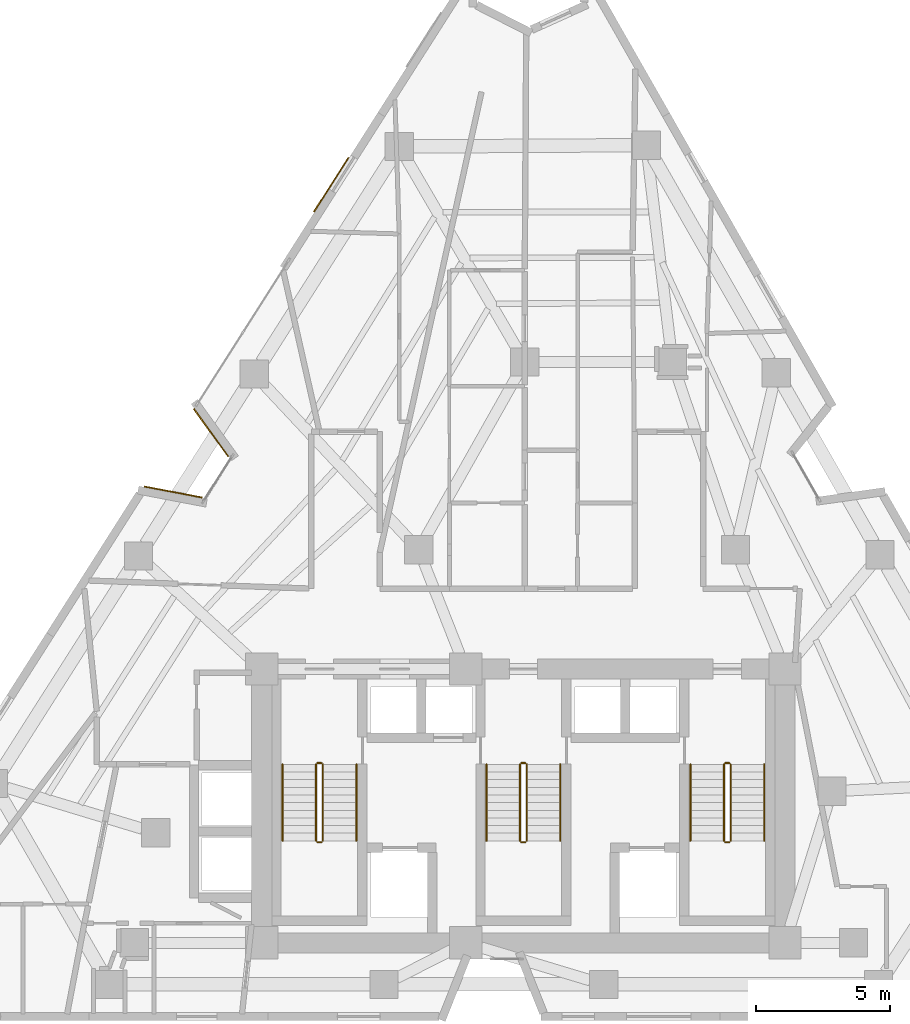
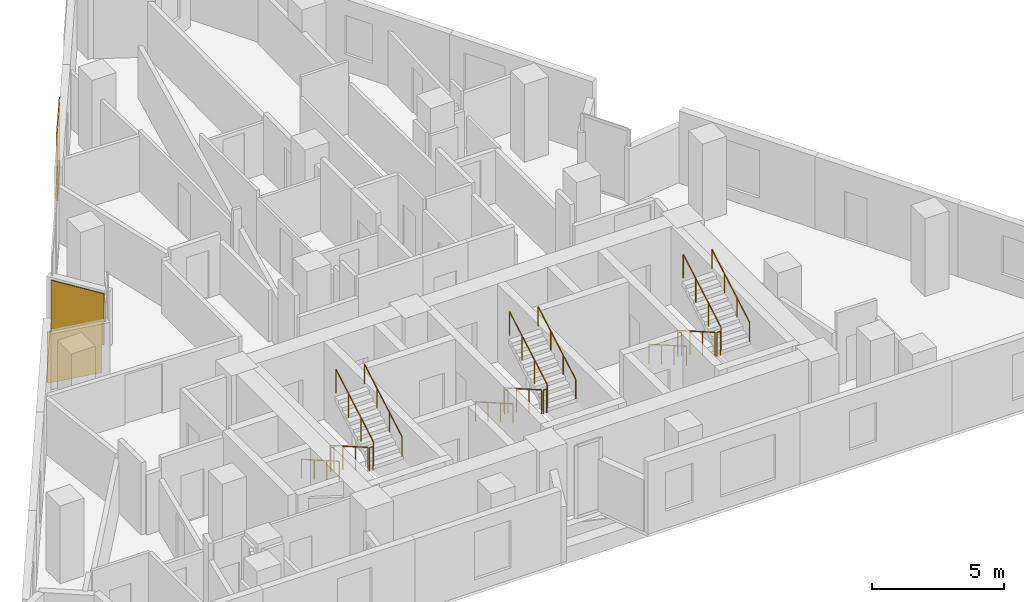
# One storey, part 10 of 11: 18 railings, 3 coverings.
"""IFC4 building model written with IfcOpenShell, lengths in metres."""

from ifc_helpers import new_model, si_unit, direction, frame, origin, origin_2d, place, context, subcontext, project, spatial, rectangle, circle, extrude, material, layer, layer_set, type_object, element, save


model = new_model("IFC4")

# Units and contexts
model_context = context("Model", 3, precision=1e-05, world=origin(), true_north=direction((0.0, 1.0)))
body_context = subcontext(model_context, "Body", "Model", "MODEL_VIEW")
ifc_project = project(units=[si_unit("LENGTHUNIT", "METRE"), si_unit("AREAUNIT", "SQUARE_METRE"), si_unit("VOLUMEUNIT", "CUBIC_METRE"), si_unit("PLANEANGLEUNIT", "RADIAN"), si_unit("MASSUNIT", "GRAM", prefix="KILO")], contexts=[model_context])

# Site, building, storey
site_placement = place(None, origin())
site = spatial("IfcSite", under=ifc_project, at=site_placement, CompositionType="ELEMENT")
building_placement = place(site_placement, origin())
building = spatial("IfcBuilding", under=site, at=building_placement, Name="Almagre Mirador Tower", CompositionType="ELEMENT")
storey_placement = place(building_placement, frame((0.0, 0.0, 146.39990234375)))
storey = spatial("IfcBuildingStorey", under=building, at=storey_placement, Name="L37", CompositionType="ELEMENT", Elevation=146.39990234375)

# Coverings
ifc_material_1 = material(Name="Almagre terracotta architectural cladding", Category="masonry")
ifc_layer = layer(ifc_material_1, 0.044921875)
ifc_layer_set = layer_set([ifc_layer], Name="Almagre terracotta architectural cladding")
covering_type = type_object("IfcCoveringType", Name="COV-CLAD-ALMAGRE", PredefinedType="CLADDING", material=ifc_layer_set)
for number, where, z_axis, x_axis, name in (
    (1, (24.247802734375, 21.35009765625, 0.10009765625), (0.0, 0.0, 1.0), (0.982333007297, -0.18714129094, 0.0), "L37 almagre terracotta pier cladding"),
    (2, (25.658203125, 23.56396484375, 0.10009765625), (0.0, 0.0, 1.0), (-0.585226601767, 0.810869795087, 0.0), "L37 almagre terracotta pier cladding"),
):
    element("IfcCovering", number, at=place(storey_placement, frame(where, z_axis=z_axis, x_axis=x_axis)), inside=storey, type_object=covering_type, Name=name, PredefinedType="CLADDING", context=body_context, shape_type="SweptSolid", body=[
        extrude(rectangle(XDim=2.194091796875, YDim=0.044921875, at=origin_2d()), origin(), (0.0, 0.0, 1.0), 2.375),
    ])
covering_placement = place(storey_placement, frame((30.140380859375, 32.80712890625, 0.10009765625), z_axis=(0.0, 0.0, 1.0), x_axis=(0.537122957072, 0.843503959081, 0.0)))
element("IfcCovering", 3, at=covering_placement, inside=storey, type_object=covering_type, Name="L37 almagre terracotta pier cladding", PredefinedType="CLADDING", context=body_context, shape_type="SweptSolid", body=[
    extrude(rectangle(XDim=2.39990234375, YDim=0.044921875, at=origin_2d()), origin(), (0.0, 0.0, 1.0), 3.14990234375),
])

# Railings
ifc_material_2 = material(Name="Painted galvanized steel", Category="steel")
railing_type_1 = type_object("IfcRailingType", Name="RLG-GRD-1100", PredefinedType="GUARDRAIL", material=ifc_material_2)
railing_1_placement = place(storey_placement, frame((29.574951171875, 11.199951171875, 0.163818359375)))
element("IfcRailing", 4, at=railing_1_placement, inside=storey, type_object=railing_type_1, Name="L37 ST-1 stair guard 1", PredefinedType="GUARDRAIL", context=body_context, shape_type="SweptSolid", body=[
    extrude(circle(Radius=0.02392578125, at=origin_2d()), frame((0.0, 0.0, 1.09619140625), z_axis=(0.0, -0.867226363773, 0.497914082927), x_axis=(1.0, 0.0, 0.0)), (0.0, 0.0, 1.0), 3.2861328125),
    extrude(circle(Radius=0.02099609375, at=origin_2d()), origin(), (0.0, 0.0, 1.0), 1.072021484375),
    extrude(circle(Radius=0.02099609375, at=origin_2d()), frame((0.0, -0.949951171875, 0.54541015625)), (0.0, 0.0, 1.0), 1.072021484375),
    extrude(circle(Radius=0.02099609375, at=origin_2d()), frame((0.0, -1.89990234375, 1.0908203125)), (0.0, 0.0, 1.0), 1.072021484375),
    extrude(circle(Radius=0.02099609375, at=origin_2d()), frame((0.0, -2.849853515625, 1.63623046875)), (0.0, 0.0, 1.0), 1.072021484375),
])
railing_2_placement = place(storey_placement, frame((29.625, 8.300048828125, 1.800048828125)))
element("IfcRailing", 5, at=railing_2_placement, inside=storey, type_object=railing_type_1, Name="L37 ST-1 stair guard 2", PredefinedType="GUARDRAIL", context=body_context, shape_type="SweptSolid", body=[
    extrude(circle(Radius=0.02392578125, at=origin_2d()), frame((0.0, 0.0, 1.09619140625), z_axis=(1.0, 0.0, 0.0), x_axis=(0.0, 1.0, 0.0)), (0.0, 0.0, 1.0), 0.14990234375),
    extrude(circle(Radius=0.02099609375, at=origin_2d()), origin(), (0.0, 0.0, 1.0), 1.072021484375),
    extrude(circle(Radius=0.02099609375, at=origin_2d()), frame((0.14990234375, 0.0, 0.0)), (0.0, 0.0, 1.0), 1.072021484375),
])
railing_3_placement = place(storey_placement, frame((29.824951171875, 8.35009765625, 1.963623046875)))
element("IfcRailing", 6, at=railing_3_placement, inside=storey, type_object=railing_type_1, Name="L37 ST-1 stair guard 3", PredefinedType="GUARDRAIL", context=body_context, shape_type="SweptSolid", body=[
    extrude(circle(Radius=0.02392578125, at=origin_2d()), frame((0.0, 0.0, 1.09619140625), z_axis=(0.0, 0.867194282975, 0.497969954491), x_axis=(-1.0, 0.0, 0.0)), (0.0, 0.0, 1.0), 3.286376953125),
    extrude(circle(Radius=0.02099609375, at=origin_2d()), origin(), (0.0, 0.0, 1.0), 1.072021484375),
    extrude(circle(Radius=0.02099609375, at=origin_2d()), frame((0.0, 0.949951171875, 0.54541015625)), (0.0, 0.0, 1.0), 1.072021484375),
    extrude(circle(Radius=0.02099609375, at=origin_2d()), frame((0.0, 1.89990234375, 1.091064453125)), (0.0, 0.0, 1.0), 1.072021484375),
    extrude(circle(Radius=0.02099609375, at=origin_2d()), frame((0.0, 2.849853515625, 1.636474609375)), (0.0, 0.0, 1.0), 1.072021484375),
])
railing_4_placement = place(storey_placement, frame((29.625, 11.25, 0.0)))
element("IfcRailing", 7, at=railing_4_placement, inside=storey, type_object=railing_type_1, Name="L37 ST-1 stair guard 4", PredefinedType="GUARDRAIL", context=body_context, shape_type="SweptSolid", body=[
    extrude(circle(Radius=0.02392578125, at=origin_2d()), frame((0.0, 0.0, 1.09619140625), z_axis=(1.0, 0.0, 0.0), x_axis=(0.0, 1.0, 0.0)), (0.0, 0.0, 1.0), 0.14990234375),
    extrude(circle(Radius=0.02099609375, at=origin_2d()), origin(), (0.0, 0.0, 1.0), 1.072021484375),
    extrude(circle(Radius=0.02099609375, at=origin_2d()), frame((0.14990234375, 0.0, 0.0)), (0.0, 0.0, 1.0), 1.072021484375),
])
railing_5_placement = place(storey_placement, frame((37.175048828125, 11.199951171875, 0.163818359375)))
element("IfcRailing", 8, at=railing_5_placement, inside=storey, type_object=railing_type_1, Name="L37 ST-2 stair guard 1", PredefinedType="GUARDRAIL", context=body_context, shape_type="SweptSolid", body=[
    extrude(circle(Radius=0.02392578125, at=origin_2d()), frame((0.0, 0.0, 1.09619140625), z_axis=(0.0, -0.867226363773, 0.497914082927), x_axis=(1.0, 0.0, 0.0)), (0.0, 0.0, 1.0), 3.2861328125),
    extrude(circle(Radius=0.02099609375, at=origin_2d()), origin(), (0.0, 0.0, 1.0), 1.072021484375),
    extrude(circle(Radius=0.02099609375, at=origin_2d()), frame((0.0, -0.949951171875, 0.54541015625)), (0.0, 0.0, 1.0), 1.072021484375),
    extrude(circle(Radius=0.02099609375, at=origin_2d()), frame((0.0, -1.89990234375, 1.0908203125)), (0.0, 0.0, 1.0), 1.072021484375),
    extrude(circle(Radius=0.02099609375, at=origin_2d()), frame((0.0, -2.849853515625, 1.63623046875)), (0.0, 0.0, 1.0), 1.072021484375),
])
railing_6_placement = place(storey_placement, frame((37.22509765625, 8.300048828125, 1.800048828125)))
element("IfcRailing", 9, at=railing_6_placement, inside=storey, type_object=railing_type_1, Name="L37 ST-2 stair guard 2", PredefinedType="GUARDRAIL", context=body_context, shape_type="SweptSolid", body=[
    extrude(circle(Radius=0.02392578125, at=origin_2d()), frame((0.0, 0.0, 1.09619140625), z_axis=(1.0, 0.0, 0.0), x_axis=(0.0, 1.0, 0.0)), (0.0, 0.0, 1.0), 0.14990234375),
    extrude(circle(Radius=0.02099609375, at=origin_2d()), origin(), (0.0, 0.0, 1.0), 1.072021484375),
    extrude(circle(Radius=0.02099609375, at=origin_2d()), frame((0.14990234375, 0.0, 0.0)), (0.0, 0.0, 1.0), 1.072021484375),
])
railing_7_placement = place(storey_placement, frame((37.425048828125, 8.35009765625, 1.963623046875)))
element("IfcRailing", 10, at=railing_7_placement, inside=storey, type_object=railing_type_1, Name="L37 ST-2 stair guard 3", PredefinedType="GUARDRAIL", context=body_context, shape_type="SweptSolid", body=[
    extrude(circle(Radius=0.02392578125, at=origin_2d()), frame((0.0, 0.0, 1.09619140625), z_axis=(0.0, 0.867194282975, 0.497969954491), x_axis=(-1.0, 0.0, 0.0)), (0.0, 0.0, 1.0), 3.286376953125),
    extrude(circle(Radius=0.02099609375, at=origin_2d()), origin(), (0.0, 0.0, 1.0), 1.072021484375),
    extrude(circle(Radius=0.02099609375, at=origin_2d()), frame((0.0, 0.949951171875, 0.54541015625)), (0.0, 0.0, 1.0), 1.072021484375),
    extrude(circle(Radius=0.02099609375, at=origin_2d()), frame((0.0, 1.89990234375, 1.091064453125)), (0.0, 0.0, 1.0), 1.072021484375),
    extrude(circle(Radius=0.02099609375, at=origin_2d()), frame((0.0, 2.849853515625, 1.636474609375)), (0.0, 0.0, 1.0), 1.072021484375),
])
railing_8_placement = place(storey_placement, frame((37.22509765625, 11.25, 0.0)))
element("IfcRailing", 11, at=railing_8_placement, inside=storey, type_object=railing_type_1, Name="L37 ST-2 stair guard 4", PredefinedType="GUARDRAIL", context=body_context, shape_type="SweptSolid", body=[
    extrude(circle(Radius=0.02392578125, at=origin_2d()), frame((0.0, 0.0, 1.09619140625), z_axis=(1.0, 0.0, 0.0), x_axis=(0.0, 1.0, 0.0)), (0.0, 0.0, 1.0), 0.14990234375),
    extrude(circle(Radius=0.02099609375, at=origin_2d()), origin(), (0.0, 0.0, 1.0), 1.072021484375),
    extrude(circle(Radius=0.02099609375, at=origin_2d()), frame((0.14990234375, 0.0, 0.0)), (0.0, 0.0, 1.0), 1.072021484375),
])
railing_9_placement = place(storey_placement, frame((44.77490234375, 11.199951171875, 0.163818359375)))
element("IfcRailing", 12, at=railing_9_placement, inside=storey, type_object=railing_type_1, Name="L37 ST-3 stair guard 1", PredefinedType="GUARDRAIL", context=body_context, shape_type="SweptSolid", body=[
    extrude(circle(Radius=0.02392578125, at=origin_2d()), frame((0.0, 0.0, 1.09619140625), z_axis=(0.0, -0.867226363773, 0.497914082927), x_axis=(1.0, 0.0, 0.0)), (0.0, 0.0, 1.0), 3.2861328125),
    extrude(circle(Radius=0.02099609375, at=origin_2d()), origin(), (0.0, 0.0, 1.0), 1.072021484375),
    extrude(circle(Radius=0.02099609375, at=origin_2d()), frame((0.0, -0.949951171875, 0.54541015625)), (0.0, 0.0, 1.0), 1.072021484375),
    extrude(circle(Radius=0.02099609375, at=origin_2d()), frame((0.0, -1.89990234375, 1.0908203125)), (0.0, 0.0, 1.0), 1.072021484375),
    extrude(circle(Radius=0.02099609375, at=origin_2d()), frame((0.0, -2.849853515625, 1.63623046875)), (0.0, 0.0, 1.0), 1.072021484375),
])
railing_10_placement = place(storey_placement, frame((44.824951171875, 8.300048828125, 1.800048828125)))
element("IfcRailing", 13, at=railing_10_placement, inside=storey, type_object=railing_type_1, Name="L37 ST-3 stair guard 2", PredefinedType="GUARDRAIL", context=body_context, shape_type="SweptSolid", body=[
    extrude(circle(Radius=0.02392578125, at=origin_2d()), frame((0.0, 0.0, 1.09619140625), z_axis=(1.0, 0.0, 0.0), x_axis=(0.0, 1.0, 0.0)), (0.0, 0.0, 1.0), 0.150146484375),
    extrude(circle(Radius=0.02099609375, at=origin_2d()), origin(), (0.0, 0.0, 1.0), 1.072021484375),
    extrude(circle(Radius=0.02099609375, at=origin_2d()), frame((0.150146484375, 0.0, 0.0)), (0.0, 0.0, 1.0), 1.072021484375),
])
railing_11_placement = place(storey_placement, frame((45.02490234375, 8.35009765625, 1.963623046875)))
element("IfcRailing", 14, at=railing_11_placement, inside=storey, type_object=railing_type_1, Name="L37 ST-3 stair guard 3", PredefinedType="GUARDRAIL", context=body_context, shape_type="SweptSolid", body=[
    extrude(circle(Radius=0.02392578125, at=origin_2d()), frame((0.0, 0.0, 1.09619140625), z_axis=(0.0, 0.867194282975, 0.497969954491), x_axis=(-1.0, 0.0, 0.0)), (0.0, 0.0, 1.0), 3.286376953125),
    extrude(circle(Radius=0.02099609375, at=origin_2d()), origin(), (0.0, 0.0, 1.0), 1.072021484375),
    extrude(circle(Radius=0.02099609375, at=origin_2d()), frame((0.0, 0.949951171875, 0.54541015625)), (0.0, 0.0, 1.0), 1.072021484375),
    extrude(circle(Radius=0.02099609375, at=origin_2d()), frame((0.0, 1.89990234375, 1.091064453125)), (0.0, 0.0, 1.0), 1.072021484375),
    extrude(circle(Radius=0.02099609375, at=origin_2d()), frame((0.0, 2.849853515625, 1.636474609375)), (0.0, 0.0, 1.0), 1.072021484375),
])
railing_12_placement = place(storey_placement, frame((44.824951171875, 11.25, 0.0)))
element("IfcRailing", 15, at=railing_12_placement, inside=storey, type_object=railing_type_1, Name="L37 ST-3 stair guard 4", PredefinedType="GUARDRAIL", context=body_context, shape_type="SweptSolid", body=[
    extrude(circle(Radius=0.02392578125, at=origin_2d()), frame((0.0, 0.0, 1.09619140625), z_axis=(1.0, 0.0, 0.0), x_axis=(0.0, 1.0, 0.0)), (0.0, 0.0, 1.0), 0.150146484375),
    extrude(circle(Radius=0.02099609375, at=origin_2d()), origin(), (0.0, 0.0, 1.0), 1.072021484375),
    extrude(circle(Radius=0.02099609375, at=origin_2d()), frame((0.150146484375, 0.0, 0.0)), (0.0, 0.0, 1.0), 1.072021484375),
])
ifc_material_3 = material(Name="Brushed stainless steel", Category="steel")
railing_type_2 = type_object("IfcRailingType", Name="RLG-HND-915", PredefinedType="HANDRAIL", material=ifc_material_3)
railing_13_placement = place(storey_placement, frame((28.324951171875, 11.199951171875, 0.163818359375)))
element("IfcRailing", 16, at=railing_13_placement, inside=storey, type_object=railing_type_2, Name="L37 ST-1 stair handrail 1", PredefinedType="HANDRAIL", context=body_context, shape_type="SweptSolid", body=[
    extrude(circle(Radius=0.02392578125, at=origin_2d()), frame((0.0, 0.0, 0.89111328125), z_axis=(0.0, -0.867226363773, 0.497914082927), x_axis=(1.0, 0.0, 0.0)), (0.0, 0.0, 1.0), 3.2861328125),
    extrude(circle(Radius=0.02099609375, at=origin_2d()), origin(), (0.0, 0.0, 1.0), 0.866943359375),
    extrude(circle(Radius=0.02099609375, at=origin_2d()), frame((0.0, -0.949951171875, 0.54541015625)), (0.0, 0.0, 1.0), 0.866943359375),
    extrude(circle(Radius=0.02099609375, at=origin_2d()), frame((0.0, -1.89990234375, 1.0908203125)), (0.0, 0.0, 1.0), 0.866943359375),
    extrude(circle(Radius=0.02099609375, at=origin_2d()), frame((0.0, -2.849853515625, 1.63623046875)), (0.0, 0.0, 1.0), 0.866943359375),
])
railing_14_placement = place(storey_placement, frame((31.074951171875, 8.35009765625, 1.963623046875)))
element("IfcRailing", 17, at=railing_14_placement, inside=storey, type_object=railing_type_2, Name="L37 ST-1 stair handrail 2", PredefinedType="HANDRAIL", context=body_context, shape_type="SweptSolid", body=[
    extrude(circle(Radius=0.02392578125, at=origin_2d()), frame((0.0, 0.0, 0.89111328125), z_axis=(0.0, 0.867194282975, 0.497969954491), x_axis=(-1.0, 0.0, 0.0)), (0.0, 0.0, 1.0), 3.286376953125),
    extrude(circle(Radius=0.02099609375, at=origin_2d()), origin(), (0.0, 0.0, 1.0), 0.866943359375),
    extrude(circle(Radius=0.02099609375, at=origin_2d()), frame((0.0, 0.949951171875, 0.54541015625)), (0.0, 0.0, 1.0), 0.866943359375),
    extrude(circle(Radius=0.02099609375, at=origin_2d()), frame((0.0, 1.89990234375, 1.091064453125)), (0.0, 0.0, 1.0), 0.866943359375),
    extrude(circle(Radius=0.02099609375, at=origin_2d()), frame((0.0, 2.849853515625, 1.636474609375)), (0.0, 0.0, 1.0), 0.866943359375),
])
railing_15_placement = place(storey_placement, frame((35.925048828125, 11.199951171875, 0.163818359375)))
element("IfcRailing", 18, at=railing_15_placement, inside=storey, type_object=railing_type_2, Name="L37 ST-2 stair handrail 1", PredefinedType="HANDRAIL", context=body_context, shape_type="SweptSolid", body=[
    extrude(circle(Radius=0.02392578125, at=origin_2d()), frame((0.0, 0.0, 0.89111328125), z_axis=(0.0, -0.867226363773, 0.497914082927), x_axis=(1.0, 0.0, 0.0)), (0.0, 0.0, 1.0), 3.2861328125),
    extrude(circle(Radius=0.02099609375, at=origin_2d()), origin(), (0.0, 0.0, 1.0), 0.866943359375),
    extrude(circle(Radius=0.02099609375, at=origin_2d()), frame((0.0, -0.949951171875, 0.54541015625)), (0.0, 0.0, 1.0), 0.866943359375),
    extrude(circle(Radius=0.02099609375, at=origin_2d()), frame((0.0, -1.89990234375, 1.0908203125)), (0.0, 0.0, 1.0), 0.866943359375),
    extrude(circle(Radius=0.02099609375, at=origin_2d()), frame((0.0, -2.849853515625, 1.63623046875)), (0.0, 0.0, 1.0), 0.866943359375),
])
railing_16_placement = place(storey_placement, frame((38.675048828125, 8.35009765625, 1.963623046875)))
element("IfcRailing", 19, at=railing_16_placement, inside=storey, type_object=railing_type_2, Name="L37 ST-2 stair handrail 2", PredefinedType="HANDRAIL", context=body_context, shape_type="SweptSolid", body=[
    extrude(circle(Radius=0.02392578125, at=origin_2d()), frame((0.0, 0.0, 0.89111328125), z_axis=(0.0, 0.867194282975, 0.497969954491), x_axis=(-1.0, 0.0, 0.0)), (0.0, 0.0, 1.0), 3.286376953125),
    extrude(circle(Radius=0.02099609375, at=origin_2d()), origin(), (0.0, 0.0, 1.0), 0.866943359375),
    extrude(circle(Radius=0.02099609375, at=origin_2d()), frame((0.0, 0.949951171875, 0.54541015625)), (0.0, 0.0, 1.0), 0.866943359375),
    extrude(circle(Radius=0.02099609375, at=origin_2d()), frame((0.0, 1.89990234375, 1.091064453125)), (0.0, 0.0, 1.0), 0.866943359375),
    extrude(circle(Radius=0.02099609375, at=origin_2d()), frame((0.0, 2.849853515625, 1.636474609375)), (0.0, 0.0, 1.0), 0.866943359375),
])
railing_17_placement = place(storey_placement, frame((43.52490234375, 11.199951171875, 0.163818359375)))
element("IfcRailing", 20, at=railing_17_placement, inside=storey, type_object=railing_type_2, Name="L37 ST-3 stair handrail 1", PredefinedType="HANDRAIL", context=body_context, shape_type="SweptSolid", body=[
    extrude(circle(Radius=0.02392578125, at=origin_2d()), frame((0.0, 0.0, 0.89111328125), z_axis=(0.0, -0.867226363773, 0.497914082927), x_axis=(1.0, 0.0, 0.0)), (0.0, 0.0, 1.0), 3.2861328125),
    extrude(circle(Radius=0.02099609375, at=origin_2d()), origin(), (0.0, 0.0, 1.0), 0.866943359375),
    extrude(circle(Radius=0.02099609375, at=origin_2d()), frame((0.0, -0.949951171875, 0.54541015625)), (0.0, 0.0, 1.0), 0.866943359375),
    extrude(circle(Radius=0.02099609375, at=origin_2d()), frame((0.0, -1.89990234375, 1.0908203125)), (0.0, 0.0, 1.0), 0.866943359375),
    extrude(circle(Radius=0.02099609375, at=origin_2d()), frame((0.0, -2.849853515625, 1.63623046875)), (0.0, 0.0, 1.0), 0.866943359375),
])
railing_18_placement = place(storey_placement, frame((46.27490234375, 8.35009765625, 1.963623046875)))
element("IfcRailing", 21, at=railing_18_placement, inside=storey, type_object=railing_type_2, Name="L37 ST-3 stair handrail 2", PredefinedType="HANDRAIL", context=body_context, shape_type="SweptSolid", body=[
    extrude(circle(Radius=0.02392578125, at=origin_2d()), frame((0.0, 0.0, 0.89111328125), z_axis=(0.0, 0.867194282975, 0.497969954491), x_axis=(-1.0, 0.0, 0.0)), (0.0, 0.0, 1.0), 3.286376953125),
    extrude(circle(Radius=0.02099609375, at=origin_2d()), origin(), (0.0, 0.0, 1.0), 0.866943359375),
    extrude(circle(Radius=0.02099609375, at=origin_2d()), frame((0.0, 0.949951171875, 0.54541015625)), (0.0, 0.0, 1.0), 0.866943359375),
    extrude(circle(Radius=0.02099609375, at=origin_2d()), frame((0.0, 1.89990234375, 1.091064453125)), (0.0, 0.0, 1.0), 0.866943359375),
    extrude(circle(Radius=0.02099609375, at=origin_2d()), frame((0.0, 2.849853515625, 1.636474609375)), (0.0, 0.0, 1.0), 0.866943359375),
])

save(model, "model.ifc")
